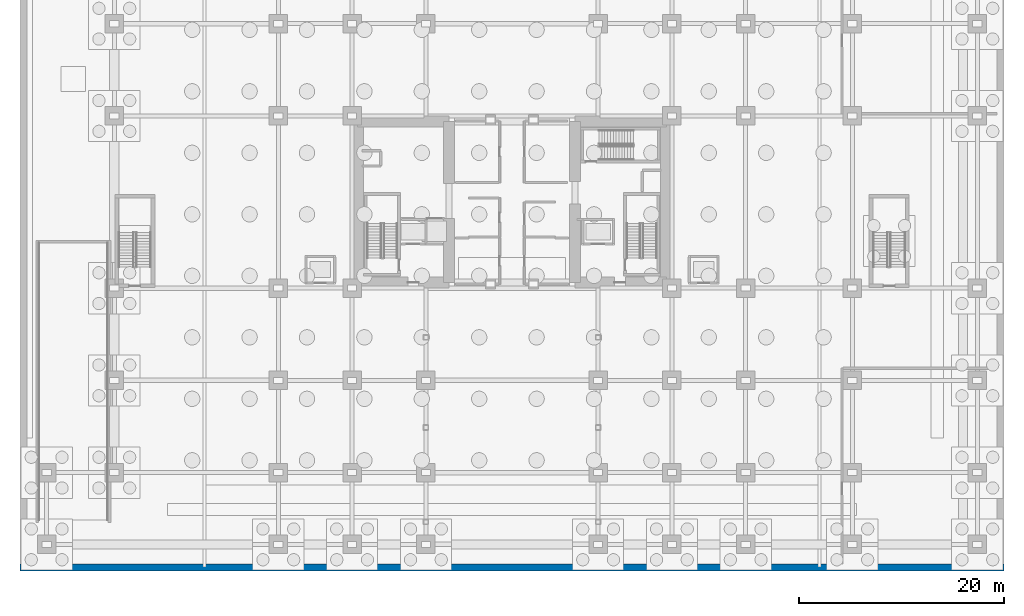
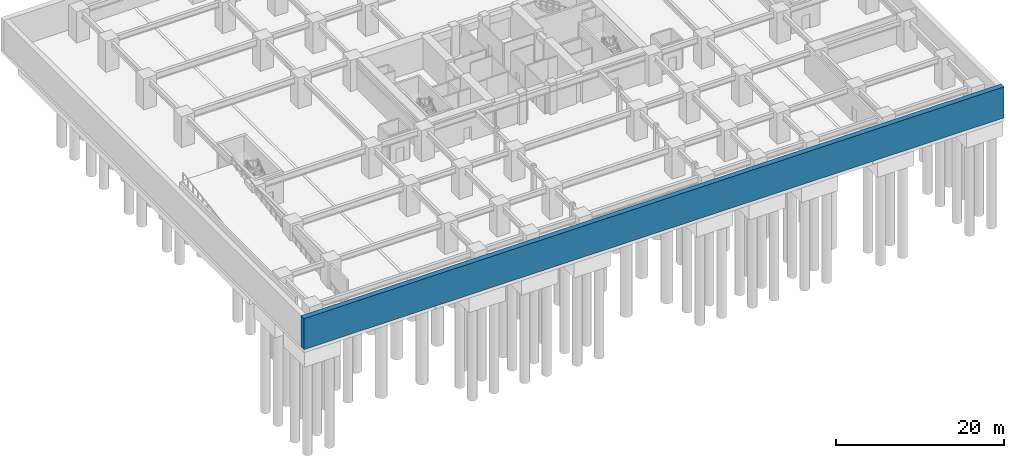
# One storey, part 10 of 23: 1 wall.
"""IFC4 building model written with IfcOpenShell, lengths in metres."""

from ifc_helpers import new_model, si_unit, direction, frame, frame_2d, origin, place, context, subcontext, project, spatial, rectangle, extrude, material, layer, layer_set, type_object, element, save


model = new_model("IFC4")

# Units and contexts
model_context = context("Model", 3, precision=1e-05, world=origin(), true_north=direction((0.0, 1.0)))
body_context = subcontext(model_context, "Body", "Model", "MODEL_VIEW")
ifc_project = project(units=[si_unit("LENGTHUNIT", "METRE"), si_unit("AREAUNIT", "SQUARE_METRE"), si_unit("VOLUMEUNIT", "CUBIC_METRE"), si_unit("PLANEANGLEUNIT", "RADIAN"), si_unit("MASSUNIT", "GRAM", prefix="KILO")], contexts=[model_context])

# Site, building, storey
site_placement = place(None, origin())
site = spatial("IfcSite", under=ifc_project, at=site_placement, CompositionType="ELEMENT")
building_placement = place(site_placement, origin())
building = spatial("IfcBuilding", under=site, at=building_placement, Name="Kiyonajd Concourse Tower", CompositionType="ELEMENT")
storey_placement = place(building_placement, frame((0.0, 0.0, -9.0)))
storey = spatial("IfcBuildingStorey", under=building, at=storey_placement, Name="B2", CompositionType="ELEMENT", Elevation=-9.0)

# Wall
ifc_material = material(Name="Concrete C50/60", Category="concrete")
ifc_layer = layer(ifc_material, 0.699951171875)
ifc_layer_set = layer_set([ifc_layer], Name="Concrete C50/60")
wall_type = type_object("IfcWallType", Name="WL-RET-700", PredefinedType="SOLIDWALL", material=ifc_layer_set)
wall_placement = place(storey_placement, frame((0.0, 0.35009765625, 0.0), z_axis=(0.0, 0.0, 1.0), x_axis=(1.0, 0.0, 0.0)))
element("IfcWall", 1, at=wall_placement, inside=storey, type_object=wall_type, Name="B2 South Basement Retaining Wall", PredefinedType="SOLIDWALL", context=body_context, shape_type="SweptSolid", body=[
    extrude(rectangle(XDim=96.0, YDim=0.699951171875, at=frame_2d((48.0, 0.0))), origin(), (0.0, 0.0, 1.0), 4.5),
])

save(model, "model.ifc")
